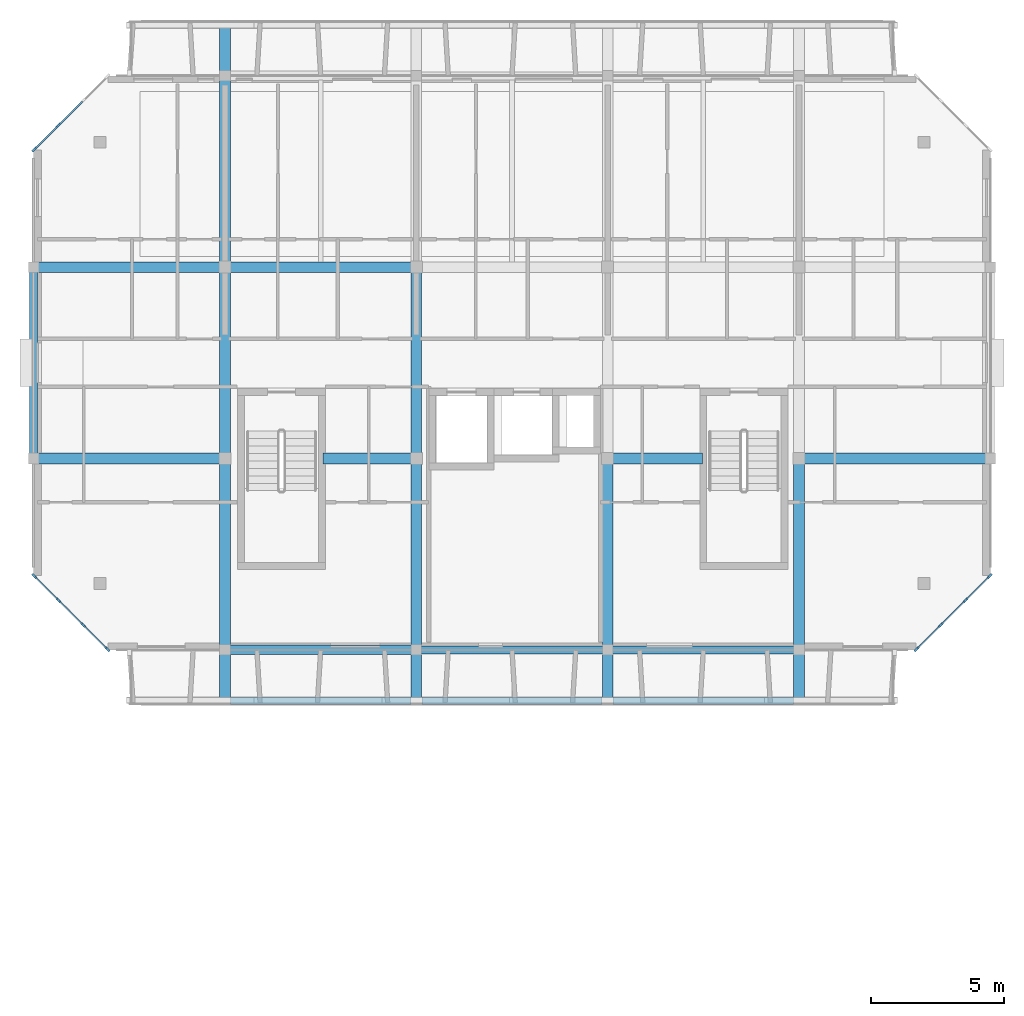
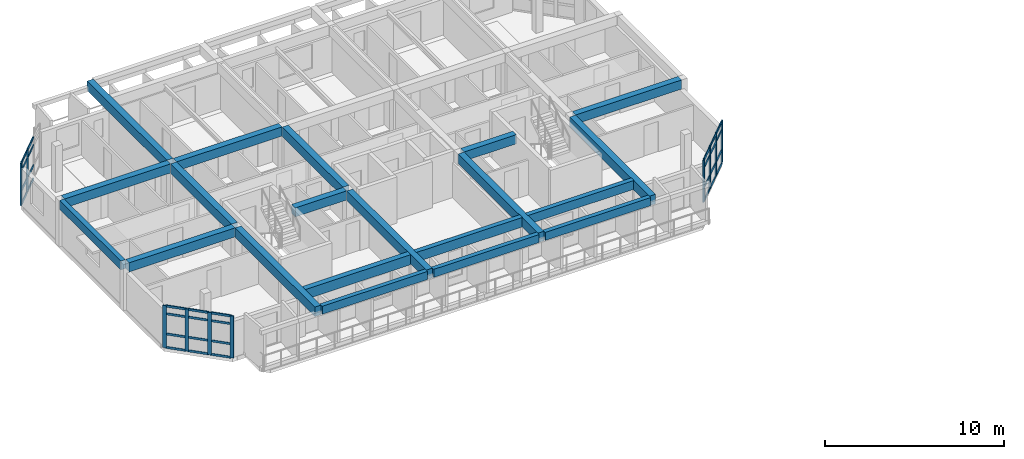
# One storey, part 3 of 19: 42 members, 20 beams, 3 elements without a shape of their own.
"""IFC4 building model written with IfcOpenShell, lengths in metres."""

from ifc_helpers import new_model, si_unit, direction, frame, origin, origin_2d, place, context, subcontext, project, spatial, rectangle, extrude, material, layer, layer_set, material_profile, profile_set, type_object, element, aggregate, save


model = new_model("IFC4")

# Units and contexts
model_context = context("Model", 3, precision=1e-05, world=origin(), true_north=direction((0.0, 1.0)))
body_context = subcontext(model_context, "Body", "Model", "MODEL_VIEW")
ifc_project = project(units=[si_unit("LENGTHUNIT", "METRE"), si_unit("AREAUNIT", "SQUARE_METRE"), si_unit("VOLUMEUNIT", "CUBIC_METRE"), si_unit("PLANEANGLEUNIT", "RADIAN"), si_unit("MASSUNIT", "GRAM", prefix="KILO")], contexts=[model_context])

# Site, building, storey
site_placement = place(None, origin())
site = spatial("IfcSite", under=ifc_project, at=site_placement, CompositionType="ELEMENT")
building_placement = place(site_placement, origin())
building = spatial("IfcBuilding", under=site, at=building_placement, Name="Ochrevale Crest", CompositionType="ELEMENT")
storey_placement = place(building_placement, frame((0.0, 0.0, 43.35009765625)))
storey = spatial("IfcBuildingStorey", under=building, at=storey_placement, Name="L13", CompositionType="ELEMENT", Elevation=43.35009765625)

# Beams
ifc_material_1 = material(Name="Precast concrete C50/60", Category="concrete")
ifc_material_profile_1 = material_profile(ifc_material_1, rectangle(XDim=0.39990234375, YDim=0.6201171875, at=origin_2d()), Name="PC 400x620")
ifc_profile_set_1 = profile_set([ifc_material_profile_1], Name="Precast concrete C50/60")
beam_type_1 = type_object("IfcBeamType", Name="BM-PC400x620", PredefinedType="BEAM", material=ifc_profile_set_1)
beam_1_placement = place(storey_placement, frame((129.77490234375, 79.199951171875, 2.83984375), z_axis=(1.0, 0.0, 0.0), x_axis=(0.0, 1.0, 0.0)))
element("IfcBeam", 1, at=beam_1_placement, inside=storey, type_object=beam_type_1, Name="Block D L13 E-W beam Y=79.2", PredefinedType="BEAM", context=body_context, shape_type="SweptSolid", body=[
    extrude(rectangle(XDim=0.39990234375, YDim=0.6201171875, at=origin_2d()), origin(), (0.0, 0.0, 1.0), 6.8251953125),
])
beam_2_placement = place(storey_placement, frame((140.489990234375, 79.199951171875, 2.83984375), z_axis=(1.0, 0.0, 0.0), x_axis=(0.0, 1.0, 0.0)))
element("IfcBeam", 2, at=beam_2_placement, inside=storey, type_object=beam_type_1, Name="Block D L13 E-W beam Y=79.2", PredefinedType="BEAM", context=body_context, shape_type="SweptSolid", body=[
    extrude(rectangle(XDim=0.39990234375, YDim=0.6201171875, at=origin_2d()), origin(), (0.0, 0.0, 1.0), 3.31005859375),
])
beam_3_placement = place(storey_placement, frame((151.39990234375, 79.199951171875, 2.83984375), z_axis=(1.0, 0.0, 0.0), x_axis=(0.0, 1.0, 0.0)))
element("IfcBeam", 3, at=beam_3_placement, inside=storey, type_object=beam_type_1, Name="Block D L13 E-W beam Y=79.2", PredefinedType="BEAM", context=body_context, shape_type="SweptSolid", body=[
    extrude(rectangle(XDim=0.39990234375, YDim=0.6201171875, at=origin_2d()), origin(), (0.0, 0.0, 1.0), 3.360107421875),
])
beam_4_placement = place(storey_placement, frame((158.60009765625, 79.199951171875, 2.83984375), z_axis=(1.0, 0.0, 0.0), x_axis=(0.0, 1.0, 0.0)))
element("IfcBeam", 4, at=beam_4_placement, inside=storey, type_object=beam_type_1, Name="Block D L13 E-W beam Y=79.2", PredefinedType="BEAM", context=body_context, shape_type="SweptSolid", body=[
    extrude(rectangle(XDim=0.39990234375, YDim=0.6201171875, at=origin_2d()), origin(), (0.0, 0.0, 1.0), 6.824951171875),
])
beam_5_placement = place(storey_placement, frame((129.77490234375, 86.39990234375, 2.83984375), z_axis=(1.0, 0.0, 0.0), x_axis=(0.0, 1.0, 0.0)))
element("IfcBeam", 5, at=beam_5_placement, inside=storey, type_object=beam_type_1, Name="Block D L13 E-W beam Y=86.4", PredefinedType="BEAM", context=body_context, shape_type="SweptSolid", body=[
    extrude(rectangle(XDim=0.39990234375, YDim=0.6201171875, at=origin_2d()), origin(), (0.0, 0.0, 1.0), 6.8251953125),
])
beam_6_placement = place(storey_placement, frame((137.0, 86.39990234375, 2.83984375), z_axis=(1.0, 0.0, 0.0), x_axis=(0.0, 1.0, 0.0)))
element("IfcBeam", 6, at=beam_6_placement, inside=storey, type_object=beam_type_1, Name="Block D L13 E-W beam Y=86.4", PredefinedType="BEAM", context=body_context, shape_type="SweptSolid", body=[
    extrude(rectangle(XDim=0.39990234375, YDim=0.6201171875, at=origin_2d()), origin(), (0.0, 0.0, 1.0), 6.800048828125),
])
ifc_material_profile_2 = material_profile(ifc_material_1, rectangle(XDim=0.39990234375, YDim=0.64990234375, at=origin_2d()), Name="PC 400x650")
ifc_profile_set_2 = profile_set([ifc_material_profile_2], Name="Precast concrete C50/60")
beam_type_2 = type_object("IfcBeamType", Name="BM-PC400x650", PredefinedType="BEAM", material=ifc_profile_set_2)
beam_7_placement = place(storey_placement, frame((136.800048828125, 70.080078125, 2.824951171875), z_axis=(0.0, 1.0, 0.0), x_axis=(-1.0, 0.0, 0.0)))
element("IfcBeam", 7, at=beam_7_placement, inside=storey, type_object=beam_type_2, Name="Block D L13 N-S beam X=136.8", PredefinedType="BEAM", context=body_context, shape_type="SweptSolid", body=[
    extrude(rectangle(XDim=0.39990234375, YDim=0.64990234375, at=origin_2d()), origin(), (0.0, 0.0, 1.0), 8.9150390625),
])
beam_8_placement = place(storey_placement, frame((136.800048828125, 79.405029296875, 2.824951171875), z_axis=(0.0, 1.0, 0.0), x_axis=(-1.0, 0.0, 0.0)))
element("IfcBeam", 8, at=beam_8_placement, inside=storey, type_object=beam_type_2, Name="Block D L13 N-S beam X=136.8", PredefinedType="BEAM", context=body_context, shape_type="SweptSolid", body=[
    extrude(rectangle(XDim=0.39990234375, YDim=0.64990234375, at=origin_2d()), origin(), (0.0, 0.0, 1.0), 6.7900390625),
])
for number, where, z_axis, x_axis, name in (
    (9, (136.800048828125, 86.60498046875, 2.824951171875), (0.0, 1.0, 0.0), (-1.0, 0.0, 0.0), "Block D L13 N-S beam X=136.8"),
    (10, (144.0, 70.080078125, 2.824951171875), (0.0, 1.0, 0.0), (-1.0, 0.0, 0.0), "Block D L13 N-S beam X=144.0"),
):
    element("IfcBeam", number, at=place(storey_placement, frame(where, z_axis=z_axis, x_axis=x_axis)), inside=storey, type_object=beam_type_2, Name=name, PredefinedType="BEAM", context=body_context, shape_type="SweptSolid", body=[
        extrude(rectangle(XDim=0.39990234375, YDim=0.64990234375, at=origin_2d()), origin(), (0.0, 0.0, 1.0), 8.9150390625),
    ])
beam_9_placement = place(storey_placement, frame((144.0, 79.405029296875, 2.824951171875), z_axis=(0.0, 1.0, 0.0), x_axis=(-1.0, 0.0, 0.0)))
element("IfcBeam", 11, at=beam_9_placement, inside=storey, type_object=beam_type_2, Name="Block D L13 N-S beam X=144.0", PredefinedType="BEAM", context=body_context, shape_type="SweptSolid", body=[
    extrude(rectangle(XDim=0.39990234375, YDim=0.64990234375, at=origin_2d()), origin(), (0.0, 0.0, 1.0), 6.7900390625),
])
for number, where, z_axis, x_axis, name in (
    (12, (151.199951171875, 70.080078125, 2.824951171875), (0.0, 1.0, 0.0), (-1.0, 0.0, 0.0), "Block D L13 N-S beam X=151.2"),
    (13, (158.39990234375, 70.080078125, 2.824951171875), (0.0, 1.0, 0.0), (-1.0, 0.0, 0.0), "Block D L13 N-S beam X=158.4"),
):
    element("IfcBeam", number, at=place(storey_placement, frame(where, z_axis=z_axis, x_axis=x_axis)), inside=storey, type_object=beam_type_2, Name=name, PredefinedType="BEAM", context=body_context, shape_type="SweptSolid", body=[
        extrude(rectangle(XDim=0.39990234375, YDim=0.64990234375, at=origin_2d()), origin(), (0.0, 0.0, 1.0), 8.9150390625),
    ])
ifc_material_2 = material(Name="Precast concrete C40/50", Category="concrete")
ifc_material_profile_3 = material_profile(ifc_material_2, rectangle(XDim=0.280029296875, YDim=0.550048828125, at=origin_2d()), Name="PC 280x550")
ifc_profile_set_3 = profile_set([ifc_material_profile_3], Name="Precast concrete C40/50")
beam_type_3 = type_object("IfcBeamType", Name="BM-SP280x550", PredefinedType="SPANDREL", material=ifc_profile_set_3)
for number, where, z_axis, x_axis, name in (
    (14, (137.0048828125, 70.080078125, 2.875), (1.0, 0.0, 0.0), (0.0, 1.0, 0.0), "Block D L13 top-loggia precast ring lintel S-1"),
    (15, (144.205078125, 70.080078125, 2.875), (1.0, 0.0, 0.0), (0.0, 1.0, 0.0), "Block D L13 top-loggia precast ring lintel S-2"),
    (16, (151.405029296875, 70.080078125, 2.875), (1.0, 0.0, 0.0), (0.0, 1.0, 0.0), "Block D L13 top-loggia precast ring lintel S-3"),
):
    element("IfcBeam", number, at=place(storey_placement, frame(where, z_axis=z_axis, x_axis=x_axis)), inside=storey, type_object=beam_type_3, Name=name, PredefinedType="SPANDREL", context=body_context, shape_type="SweptSolid", body=[
        extrude(rectangle(XDim=0.280029296875, YDim=0.550048828125, at=origin_2d()), origin(), (0.0, 0.0, 1.0), 6.7900390625),
    ])
ifc_material_profile_4 = material_profile(ifc_material_2, rectangle(XDim=0.300048828125, YDim=0.60009765625, at=origin_2d()), Name="PC 300x600")
ifc_profile_set_4 = profile_set([ifc_material_profile_4], Name="Precast concrete C40/50")
beam_type_4 = type_object("IfcBeamType", Name="BM-SP300x600", PredefinedType="SPANDREL", material=ifc_profile_set_4)
beam_10_placement = place(storey_placement, frame((151.375, 72.0, 2.849853515625), z_axis=(1.0, 0.0, 0.0), x_axis=(0.0, 1.0, 0.0)))
element("IfcBeam", 17, at=beam_10_placement, inside=storey, type_object=beam_type_4, Name="Block D L13 E-W beam Y=72.0", PredefinedType="SPANDREL", context=body_context, shape_type="SweptSolid", body=[
    extrude(rectangle(XDim=0.300048828125, YDim=0.60009765625, at=origin_2d()), origin(), (0.0, 0.0, 1.0), 6.85009765625),
])
beam_11_placement = place(storey_placement, frame((129.60009765625, 79.3798828125, 2.849853515625), z_axis=(0.0, 1.0, 0.0), x_axis=(-1.0, 0.0, 0.0)))
element("IfcBeam", 18, at=beam_11_placement, inside=storey, type_object=beam_type_4, Name="Block D L13 N-S beam X=129.6", PredefinedType="SPANDREL", context=body_context, shape_type="SweptSolid", body=[
    extrude(rectangle(XDim=0.300048828125, YDim=0.60009765625, at=origin_2d()), origin(), (0.0, 0.0, 1.0), 6.840087890625),
])
ifc_material_profile_5 = material_profile(ifc_material_2, rectangle(XDim=0.300048828125, YDim=0.64990234375, at=origin_2d()), Name="PC 300x650")
ifc_profile_set_5 = profile_set([ifc_material_profile_5], Name="Precast concrete C40/50")
beam_type_5 = type_object("IfcBeamType", Name="BM-SP300x650", PredefinedType="SPANDREL", material=ifc_profile_set_5)
beam_12_placement = place(storey_placement, frame((144.175048828125, 72.0, 2.824951171875), z_axis=(1.0, 0.0, 0.0), x_axis=(0.0, 1.0, 0.0)))
element("IfcBeam", 19, at=beam_12_placement, inside=storey, type_object=beam_type_5, Name="Block D L13 E-W beam Y=72.0", PredefinedType="SPANDREL", context=body_context, shape_type="SweptSolid", body=[
    extrude(rectangle(XDim=0.300048828125, YDim=0.64990234375, at=origin_2d()), origin(), (0.0, 0.0, 1.0), 6.849853515625),
])
ifc_material_profile_6 = material_profile(ifc_material_2, rectangle(XDim=0.35009765625, YDim=0.679931640625, at=origin_2d()), Name="PC 350x680")
ifc_profile_set_6 = profile_set([ifc_material_profile_6], Name="Precast concrete C40/50")
beam_type_6 = type_object("IfcBeamType", Name="BM-SP350x680", PredefinedType="SPANDREL", material=ifc_profile_set_6)
beam_13_placement = place(storey_placement, frame((136.97509765625, 72.0, 2.809814453125), z_axis=(1.0, 0.0, 0.0), x_axis=(0.0, 1.0, 0.0)))
element("IfcBeam", 20, at=beam_13_placement, inside=storey, type_object=beam_type_6, Name="Block D L13 E-W beam Y=72.0", PredefinedType="SPANDREL", context=body_context, shape_type="SweptSolid", body=[
    extrude(rectangle(XDim=0.35009765625, YDim=0.679931640625, at=origin_2d()), origin(), (0.0, 0.0, 1.0), 6.849853515625),
])

# Curtain wall, members
ifc_material_3 = material(Name="Anodised aluminium 6063-T5", Category="aluminium")
ifc_layer_1 = layer(ifc_material_3, 0.14990234375)
ifc_layer_set_1 = layer_set([ifc_layer_1], Name="Anodised aluminium 6063-T5")
curtain_wall_type_1 = type_object("IfcCurtainWallType", Name="CW-WG-240x285", PredefinedType="NOTDEFINED", material=ifc_layer_set_1)
curtain_wall_1_placement = place(storey_placement, origin())
curtain_wall_1 = element("IfcCurtainWall", 21, at=curtain_wall_1_placement, inside=storey, type_object=curtain_wall_type_1, Name="Block D L13 chamfered corner wintergarden curtain wall 2", PredefinedType="NOTDEFINED")
ifc_material_profile_7 = material_profile(ifc_material_3, rectangle(XDim=0.074951171875, YDim=0.219970703125, at=origin_2d()), Name="ALU 75x220")
ifc_profile_set_7 = profile_set([ifc_material_profile_7], Name="Anodised aluminium 6063-T5")
member_type_1 = type_object("IfcMemberType", Name="CW-MUL-75x220", PredefinedType="MULLION", material=ifc_profile_set_7)
member_1_placement = place(storey_placement, frame((162.826416015625, 72.026611328125, 0.0), z_axis=(0.0, 0.0, 1.0), x_axis=(-0.707106781187, 0.707106781187, 0.0)))
member_1 = element("IfcMember", 22, at=member_1_placement, type_object=member_type_1, Name="CW15 mullion 1", PredefinedType="MULLION", context=body_context, shape_type="SweptSolid", body=[
    extrude(rectangle(XDim=0.074951171875, YDim=0.219970703125, at=origin_2d()), origin(), (0.0, 0.0, 1.0), 2.875),
])
member_2_placement = place(storey_placement, frame((163.7333984375, 72.933349609375, 0.0), z_axis=(0.0, 0.0, 1.0), x_axis=(-0.707106781187, 0.707106781187, 0.0)))
member_2 = element("IfcMember", 23, at=member_2_placement, type_object=member_type_1, Name="CW15 mullion 2", PredefinedType="MULLION", context=body_context, shape_type="SweptSolid", body=[
    extrude(rectangle(XDim=0.074951171875, YDim=0.219970703125, at=origin_2d()), origin(), (0.0, 0.0, 1.0), 2.875),
])
member_3_placement = place(storey_placement, frame((164.666748046875, 73.86669921875, 0.0), z_axis=(0.0, 0.0, 1.0), x_axis=(-0.707106781187, 0.707106781187, 0.0)))
member_3 = element("IfcMember", 24, at=member_3_placement, type_object=member_type_1, Name="CW15 mullion 3", PredefinedType="MULLION", context=body_context, shape_type="SweptSolid", body=[
    extrude(rectangle(XDim=0.074951171875, YDim=0.219970703125, at=origin_2d()), origin(), (0.0, 0.0, 1.0), 2.875),
])
member_4_placement = place(storey_placement, frame((165.573486328125, 74.7734375, 0.0), z_axis=(0.0, 0.0, 1.0), x_axis=(-0.707106781187, 0.707106781187, 0.0)))
member_4 = element("IfcMember", 25, at=member_4_placement, type_object=member_type_1, Name="CW15 mullion 4", PredefinedType="MULLION", context=body_context, shape_type="SweptSolid", body=[
    extrude(rectangle(XDim=0.074951171875, YDim=0.219970703125, at=origin_2d()), origin(), (0.0, 0.0, 1.0), 2.875),
])

ifc_layer_2 = layer(ifc_material_3, 0.14990234375)
ifc_layer_set_2 = layer_set([ifc_layer_2], Name="Anodised aluminium 6063-T5")
curtain_wall_type_2 = type_object("IfcCurtainWallType", Name="CW-WG-420x285", PredefinedType="NOTDEFINED", material=ifc_layer_set_2)
curtain_wall_2_placement = place(storey_placement, origin())
curtain_wall_2 = element("IfcCurtainWall", 26, at=curtain_wall_2_placement, inside=storey, type_object=curtain_wall_type_2, Name="Block D L13 chamfered corner wintergarden curtain wall 6", PredefinedType="NOTDEFINED")
member_5_placement = place(storey_placement, frame((130.533447265625, 91.7333984375, 0.0), z_axis=(0.0, 0.0, 1.0), x_axis=(0.707106781187, -0.707106781187, 0.0)))
member_5 = element("IfcMember", 27, at=member_5_placement, type_object=member_type_1, Name="CW22 mullion 3", PredefinedType="MULLION", context=body_context, shape_type="SweptSolid", body=[
    extrude(rectangle(XDim=0.074951171875, YDim=0.219970703125, at=origin_2d()), origin(), (0.0, 0.0, 1.0), 2.875),
])
member_6_placement = place(storey_placement, frame((129.62646484375, 90.826416015625, 0.0), z_axis=(0.0, 0.0, 1.0), x_axis=(0.707106781187, -0.707106781187, 0.0)))
member_6 = element("IfcMember", 28, at=member_6_placement, type_object=member_type_1, Name="CW22 mullion 4", PredefinedType="MULLION", context=body_context, shape_type="SweptSolid", body=[
    extrude(rectangle(XDim=0.074951171875, YDim=0.219970703125, at=origin_2d()), origin(), (0.0, 0.0, 1.0), 2.875),
])

ifc_layer_3 = layer(ifc_material_3, 0.14990234375)
ifc_layer_set_3 = layer_set([ifc_layer_3], Name="Anodised aluminium 6063-T5")
curtain_wall_type_3 = type_object("IfcCurtainWallType", Name="CW-WG-280x285", PredefinedType="NOTDEFINED", material=ifc_layer_set_3)
curtain_wall_3_placement = place(storey_placement, origin())
curtain_wall_3 = element("IfcCurtainWall", 29, at=curtain_wall_3_placement, inside=storey, type_object=curtain_wall_type_3, Name="Block D L13 chamfered corner wintergarden curtain wall 8", PredefinedType="NOTDEFINED")
member_7_placement = place(storey_placement, frame((129.62646484375, 74.7734375, 0.0), z_axis=(0.0, 0.0, 1.0), x_axis=(0.707106781187, 0.707106781187, 0.0)))
member_7 = element("IfcMember", 30, at=member_7_placement, type_object=member_type_1, Name="CW16 mullion 1", PredefinedType="MULLION", context=body_context, shape_type="SweptSolid", body=[
    extrude(rectangle(XDim=0.074951171875, YDim=0.219970703125, at=origin_2d()), origin(), (0.0, 0.0, 1.0), 2.875),
])
member_8_placement = place(storey_placement, frame((130.533447265625, 73.86669921875, 0.0), z_axis=(0.0, 0.0, 1.0), x_axis=(0.707106781187, 0.707106781187, 0.0)))
member_8 = element("IfcMember", 31, at=member_8_placement, type_object=member_type_1, Name="CW16 mullion 2", PredefinedType="MULLION", context=body_context, shape_type="SweptSolid", body=[
    extrude(rectangle(XDim=0.074951171875, YDim=0.219970703125, at=origin_2d()), origin(), (0.0, 0.0, 1.0), 2.875),
])
member_9_placement = place(storey_placement, frame((131.466552734375, 72.933349609375, 0.0), z_axis=(0.0, 0.0, 1.0), x_axis=(0.707106781187, 0.707106781187, 0.0)))
member_9 = element("IfcMember", 32, at=member_9_placement, type_object=member_type_1, Name="CW16 mullion 3", PredefinedType="MULLION", context=body_context, shape_type="SweptSolid", body=[
    extrude(rectangle(XDim=0.074951171875, YDim=0.219970703125, at=origin_2d()), origin(), (0.0, 0.0, 1.0), 2.875),
])
member_10_placement = place(storey_placement, frame((132.37353515625, 72.026611328125, 0.0), z_axis=(0.0, 0.0, 1.0), x_axis=(0.707106781187, 0.707106781187, 0.0)))
member_10 = element("IfcMember", 33, at=member_10_placement, type_object=member_type_1, Name="CW16 mullion 4", PredefinedType="MULLION", context=body_context, shape_type="SweptSolid", body=[
    extrude(rectangle(XDim=0.074951171875, YDim=0.219970703125, at=origin_2d()), origin(), (0.0, 0.0, 1.0), 2.875),
])

# Member
ifc_material_profile_8 = material_profile(ifc_material_3, rectangle(XDim=0.06005859375, YDim=0.14990234375, at=origin_2d()), Name="ALU 60x150")
ifc_profile_set_8 = profile_set([ifc_material_profile_8], Name="Anodised aluminium 6063-T5")
member_type_2 = type_object("IfcMemberType", Name="CW-TRN-60x150", PredefinedType="USERDEFINED", material=ifc_profile_set_8)
member_11_placement = place(storey_placement, frame((162.85302734375, 72.052978515625, 0.02978515625), z_axis=(0.707106781187, 0.707106781187, 0.0), x_axis=(-0.707106781187, 0.707106781187, 0.0)))
member_11 = element("IfcMember", 34, at=member_11_placement, type_object=member_type_2, Name="CW15 transom 1.1", ObjectType="TRANSOM", PredefinedType="USERDEFINED", context=body_context, shape_type="SweptSolid", body=[
    extrude(rectangle(XDim=0.06005859375, YDim=0.14990234375, at=origin_2d()), origin(), (0.0, 0.0, 1.0), 1.20751953125),
])

member_12_placement = place(storey_placement, frame((162.85302734375, 72.052978515625, 0.949951171875), z_axis=(0.707106781187, 0.707106781187, 0.0), x_axis=(-0.707106781187, 0.707106781187, 0.0)))
member_12 = element("IfcMember", 35, at=member_12_placement, type_object=member_type_2, Name="CW15 transom 1.2", ObjectType="TRANSOM", PredefinedType="USERDEFINED", context=body_context, shape_type="SweptSolid", body=[
    extrude(rectangle(XDim=0.06005859375, YDim=0.14990234375, at=origin_2d()), origin(), (0.0, 0.0, 1.0), 1.20751953125),
])

member_13_placement = place(storey_placement, frame((162.85302734375, 72.052978515625, 2.324951171875), z_axis=(0.707106781187, 0.707106781187, 0.0), x_axis=(-0.707106781187, 0.707106781187, 0.0)))
member_13 = element("IfcMember", 36, at=member_13_placement, type_object=member_type_2, Name="CW15 transom 1.3", ObjectType="TRANSOM", PredefinedType="USERDEFINED", context=body_context, shape_type="SweptSolid", body=[
    extrude(rectangle(XDim=0.06005859375, YDim=0.14990234375, at=origin_2d()), origin(), (0.0, 0.0, 1.0), 1.20751953125),
])

member_14_placement = place(storey_placement, frame((162.85302734375, 72.052978515625, 2.844970703125), z_axis=(0.707106781187, 0.707106781187, 0.0), x_axis=(-0.707106781187, 0.707106781187, 0.0)))
member_14 = element("IfcMember", 37, at=member_14_placement, type_object=member_type_2, Name="CW15 transom 1.4", ObjectType="TRANSOM", PredefinedType="USERDEFINED", context=body_context, shape_type="SweptSolid", body=[
    extrude(rectangle(XDim=0.06005859375, YDim=0.14990234375, at=origin_2d()), origin(), (0.0, 0.0, 1.0), 1.20751953125),
])

member_15_placement = place(storey_placement, frame((163.759765625, 72.9599609375, 0.02978515625), z_axis=(0.707204833848, 0.707008714926, 0.0), x_axis=(-0.707008714926, 0.707204833848, 0.0)))
member_15 = element("IfcMember", 38, at=member_15_placement, type_object=member_type_2, Name="CW15 transom 2.1", ObjectType="TRANSOM", PredefinedType="USERDEFINED", context=body_context, shape_type="SweptSolid", body=[
    extrude(rectangle(XDim=0.06005859375, YDim=0.14990234375, at=origin_2d()), origin(), (0.0, 0.0, 1.0), 1.244873046875),
])

member_16_placement = place(storey_placement, frame((163.759765625, 72.9599609375, 0.949951171875), z_axis=(0.707204833848, 0.707008714926, 0.0), x_axis=(-0.707008714926, 0.707204833848, 0.0)))
member_16 = element("IfcMember", 39, at=member_16_placement, type_object=member_type_2, Name="CW15 transom 2.2", ObjectType="TRANSOM", PredefinedType="USERDEFINED", context=body_context, shape_type="SweptSolid", body=[
    extrude(rectangle(XDim=0.06005859375, YDim=0.14990234375, at=origin_2d()), origin(), (0.0, 0.0, 1.0), 1.244873046875),
])

member_17_placement = place(storey_placement, frame((163.759765625, 72.9599609375, 2.324951171875), z_axis=(0.707204833848, 0.707008714926, 0.0), x_axis=(-0.707008714926, 0.707204833848, 0.0)))
member_17 = element("IfcMember", 40, at=member_17_placement, type_object=member_type_2, Name="CW15 transom 2.3", ObjectType="TRANSOM", PredefinedType="USERDEFINED", context=body_context, shape_type="SweptSolid", body=[
    extrude(rectangle(XDim=0.06005859375, YDim=0.14990234375, at=origin_2d()), origin(), (0.0, 0.0, 1.0), 1.244873046875),
])

member_18_placement = place(storey_placement, frame((163.759765625, 72.9599609375, 2.844970703125), z_axis=(0.707204833848, 0.707008714926, 0.0), x_axis=(-0.707008714926, 0.707204833848, 0.0)))
member_18 = element("IfcMember", 41, at=member_18_placement, type_object=member_type_2, Name="CW15 transom 2.4", ObjectType="TRANSOM", PredefinedType="USERDEFINED", context=body_context, shape_type="SweptSolid", body=[
    extrude(rectangle(XDim=0.06005859375, YDim=0.14990234375, at=origin_2d()), origin(), (0.0, 0.0, 1.0), 1.244873046875),
])

member_19_placement = place(storey_placement, frame((164.693115234375, 73.89306640625, 0.02978515625), z_axis=(0.707005686502, 0.70720786142, 0.0), x_axis=(-0.70720786142, 0.707005686502, 0.0)))
member_19 = element("IfcMember", 42, at=member_19_placement, type_object=member_type_2, Name="CW15 transom 3.1", ObjectType="TRANSOM", PredefinedType="USERDEFINED", context=body_context, shape_type="SweptSolid", body=[
    extrude(rectangle(XDim=0.06005859375, YDim=0.14990234375, at=origin_2d()), origin(), (0.0, 0.0, 1.0), 1.20751953125),
])

member_20_placement = place(storey_placement, frame((164.693115234375, 73.89306640625, 0.949951171875), z_axis=(0.707005686502, 0.70720786142, 0.0), x_axis=(-0.70720786142, 0.707005686502, 0.0)))
member_20 = element("IfcMember", 43, at=member_20_placement, type_object=member_type_2, Name="CW15 transom 3.2", ObjectType="TRANSOM", PredefinedType="USERDEFINED", context=body_context, shape_type="SweptSolid", body=[
    extrude(rectangle(XDim=0.06005859375, YDim=0.14990234375, at=origin_2d()), origin(), (0.0, 0.0, 1.0), 1.20751953125),
])

member_21_placement = place(storey_placement, frame((164.693115234375, 73.89306640625, 2.324951171875), z_axis=(0.707005686502, 0.70720786142, 0.0), x_axis=(-0.70720786142, 0.707005686502, 0.0)))
member_21 = element("IfcMember", 44, at=member_21_placement, type_object=member_type_2, Name="CW15 transom 3.3", ObjectType="TRANSOM", PredefinedType="USERDEFINED", context=body_context, shape_type="SweptSolid", body=[
    extrude(rectangle(XDim=0.06005859375, YDim=0.14990234375, at=origin_2d()), origin(), (0.0, 0.0, 1.0), 1.20751953125),
])

member_22_placement = place(storey_placement, frame((164.693115234375, 73.89306640625, 2.844970703125), z_axis=(0.707005686502, 0.70720786142, 0.0), x_axis=(-0.70720786142, 0.707005686502, 0.0)))
member_22 = element("IfcMember", 45, at=member_22_placement, type_object=member_type_2, Name="CW15 transom 3.4", ObjectType="TRANSOM", PredefinedType="USERDEFINED", context=body_context, shape_type="SweptSolid", body=[
    extrude(rectangle(XDim=0.06005859375, YDim=0.14990234375, at=origin_2d()), origin(), (0.0, 0.0, 1.0), 1.20751953125),
])

aggregate(curtain_wall_1, [member_1, member_2, member_3, member_4, member_11, member_12, member_13, member_14, member_15, member_16, member_17, member_18, member_19, member_20, member_21, member_22])

member_23_placement = place(storey_placement, frame((131.440185546875, 92.64013671875, 0.02978515625), z_axis=(-0.707106781187, -0.707106781187, 0.0), x_axis=(0.707106781187, -0.707106781187, 0.0)))
member_23 = element("IfcMember", 46, at=member_23_placement, type_object=member_type_2, Name="CW22 transom 2.1", ObjectType="TRANSOM", PredefinedType="USERDEFINED", context=body_context, shape_type="SweptSolid", body=[
    extrude(rectangle(XDim=0.06005859375, YDim=0.14990234375, at=origin_2d()), origin(), (0.0, 0.0, 1.0), 1.2451171875),
])

member_24_placement = place(storey_placement, frame((131.440185546875, 92.64013671875, 0.949951171875), z_axis=(-0.707106781187, -0.707106781187, 0.0), x_axis=(0.707106781187, -0.707106781187, 0.0)))
member_24 = element("IfcMember", 47, at=member_24_placement, type_object=member_type_2, Name="CW22 transom 2.2", ObjectType="TRANSOM", PredefinedType="USERDEFINED", context=body_context, shape_type="SweptSolid", body=[
    extrude(rectangle(XDim=0.06005859375, YDim=0.14990234375, at=origin_2d()), origin(), (0.0, 0.0, 1.0), 1.2451171875),
])

member_25_placement = place(storey_placement, frame((131.440185546875, 92.64013671875, 2.324951171875), z_axis=(-0.707106781187, -0.707106781187, 0.0), x_axis=(0.707106781187, -0.707106781187, 0.0)))
member_25 = element("IfcMember", 48, at=member_25_placement, type_object=member_type_2, Name="CW22 transom 2.3", ObjectType="TRANSOM", PredefinedType="USERDEFINED", context=body_context, shape_type="SweptSolid", body=[
    extrude(rectangle(XDim=0.06005859375, YDim=0.14990234375, at=origin_2d()), origin(), (0.0, 0.0, 1.0), 1.2451171875),
])

member_26_placement = place(storey_placement, frame((131.440185546875, 92.64013671875, 2.844970703125), z_axis=(-0.707106781187, -0.707106781187, 0.0), x_axis=(0.707106781187, -0.707106781187, 0.0)))
member_26 = element("IfcMember", 49, at=member_26_placement, type_object=member_type_2, Name="CW22 transom 2.4", ObjectType="TRANSOM", PredefinedType="USERDEFINED", context=body_context, shape_type="SweptSolid", body=[
    extrude(rectangle(XDim=0.06005859375, YDim=0.14990234375, at=origin_2d()), origin(), (0.0, 0.0, 1.0), 1.2451171875),
])

member_27_placement = place(storey_placement, frame((130.5068359375, 91.706787109375, 0.02978515625), z_axis=(-0.707106781187, -0.707106781187, 0.0), x_axis=(0.707106781187, -0.707106781187, 0.0)))
member_27 = element("IfcMember", 50, at=member_27_placement, type_object=member_type_2, Name="CW22 transom 3.1", ObjectType="TRANSOM", PredefinedType="USERDEFINED", context=body_context, shape_type="SweptSolid", body=[
    extrude(rectangle(XDim=0.06005859375, YDim=0.14990234375, at=origin_2d()), origin(), (0.0, 0.0, 1.0), 1.20751953125),
])

member_28_placement = place(storey_placement, frame((130.5068359375, 91.706787109375, 0.949951171875), z_axis=(-0.707106781187, -0.707106781187, 0.0), x_axis=(0.707106781187, -0.707106781187, 0.0)))
member_28 = element("IfcMember", 51, at=member_28_placement, type_object=member_type_2, Name="CW22 transom 3.2", ObjectType="TRANSOM", PredefinedType="USERDEFINED", context=body_context, shape_type="SweptSolid", body=[
    extrude(rectangle(XDim=0.06005859375, YDim=0.14990234375, at=origin_2d()), origin(), (0.0, 0.0, 1.0), 1.20751953125),
])

member_29_placement = place(storey_placement, frame((130.5068359375, 91.706787109375, 2.324951171875), z_axis=(-0.707106781187, -0.707106781187, 0.0), x_axis=(0.707106781187, -0.707106781187, 0.0)))
member_29 = element("IfcMember", 52, at=member_29_placement, type_object=member_type_2, Name="CW22 transom 3.3", ObjectType="TRANSOM", PredefinedType="USERDEFINED", context=body_context, shape_type="SweptSolid", body=[
    extrude(rectangle(XDim=0.06005859375, YDim=0.14990234375, at=origin_2d()), origin(), (0.0, 0.0, 1.0), 1.20751953125),
])

member_30_placement = place(storey_placement, frame((130.5068359375, 91.706787109375, 2.844970703125), z_axis=(-0.707106781187, -0.707106781187, 0.0), x_axis=(0.707106781187, -0.707106781187, 0.0)))
member_30 = element("IfcMember", 53, at=member_30_placement, type_object=member_type_2, Name="CW22 transom 3.4", ObjectType="TRANSOM", PredefinedType="USERDEFINED", context=body_context, shape_type="SweptSolid", body=[
    extrude(rectangle(XDim=0.06005859375, YDim=0.14990234375, at=origin_2d()), origin(), (0.0, 0.0, 1.0), 1.20751953125),
])

aggregate(curtain_wall_2, [member_5, member_6, member_23, member_24, member_25, member_26, member_27, member_28, member_29, member_30])

member_31_placement = place(storey_placement, frame((129.653076171875, 74.7470703125, 0.02978515625), z_axis=(0.707005686502, -0.70720786142, 0.0), x_axis=(0.70720786142, 0.707005686502, 0.0)))
member_31 = element("IfcMember", 54, at=member_31_placement, type_object=member_type_2, Name="CW16 transom 1.1", ObjectType="TRANSOM", PredefinedType="USERDEFINED", context=body_context, shape_type="SweptSolid", body=[
    extrude(rectangle(XDim=0.06005859375, YDim=0.14990234375, at=origin_2d()), origin(), (0.0, 0.0, 1.0), 1.20751953125),
])

member_32_placement = place(storey_placement, frame((129.653076171875, 74.7470703125, 0.949951171875), z_axis=(0.707005686502, -0.70720786142, 0.0), x_axis=(0.70720786142, 0.707005686502, 0.0)))
member_32 = element("IfcMember", 55, at=member_32_placement, type_object=member_type_2, Name="CW16 transom 1.2", ObjectType="TRANSOM", PredefinedType="USERDEFINED", context=body_context, shape_type="SweptSolid", body=[
    extrude(rectangle(XDim=0.06005859375, YDim=0.14990234375, at=origin_2d()), origin(), (0.0, 0.0, 1.0), 1.20751953125),
])

member_33_placement = place(storey_placement, frame((129.653076171875, 74.7470703125, 2.324951171875), z_axis=(0.707005686502, -0.70720786142, 0.0), x_axis=(0.70720786142, 0.707005686502, 0.0)))
member_33 = element("IfcMember", 56, at=member_33_placement, type_object=member_type_2, Name="CW16 transom 1.3", ObjectType="TRANSOM", PredefinedType="USERDEFINED", context=body_context, shape_type="SweptSolid", body=[
    extrude(rectangle(XDim=0.06005859375, YDim=0.14990234375, at=origin_2d()), origin(), (0.0, 0.0, 1.0), 1.20751953125),
])

member_34_placement = place(storey_placement, frame((129.653076171875, 74.7470703125, 2.844970703125), z_axis=(0.707005686502, -0.70720786142, 0.0), x_axis=(0.70720786142, 0.707005686502, 0.0)))
member_34 = element("IfcMember", 57, at=member_34_placement, type_object=member_type_2, Name="CW16 transom 1.4", ObjectType="TRANSOM", PredefinedType="USERDEFINED", context=body_context, shape_type="SweptSolid", body=[
    extrude(rectangle(XDim=0.06005859375, YDim=0.14990234375, at=origin_2d()), origin(), (0.0, 0.0, 1.0), 1.20751953125),
])

member_35_placement = place(storey_placement, frame((130.559814453125, 73.840087890625, 0.02978515625), z_axis=(0.707204833848, -0.707008714926, 0.0), x_axis=(0.707008714926, 0.707204833848, 0.0)))
member_35 = element("IfcMember", 58, at=member_35_placement, type_object=member_type_2, Name="CW16 transom 2.1", ObjectType="TRANSOM", PredefinedType="USERDEFINED", context=body_context, shape_type="SweptSolid", body=[
    extrude(rectangle(XDim=0.06005859375, YDim=0.14990234375, at=origin_2d()), origin(), (0.0, 0.0, 1.0), 1.244873046875),
])

member_36_placement = place(storey_placement, frame((130.559814453125, 73.840087890625, 0.949951171875), z_axis=(0.707204833848, -0.707008714926, 0.0), x_axis=(0.707008714926, 0.707204833848, 0.0)))
member_36 = element("IfcMember", 59, at=member_36_placement, type_object=member_type_2, Name="CW16 transom 2.2", ObjectType="TRANSOM", PredefinedType="USERDEFINED", context=body_context, shape_type="SweptSolid", body=[
    extrude(rectangle(XDim=0.06005859375, YDim=0.14990234375, at=origin_2d()), origin(), (0.0, 0.0, 1.0), 1.244873046875),
])

member_37_placement = place(storey_placement, frame((130.559814453125, 73.840087890625, 2.324951171875), z_axis=(0.707204833848, -0.707008714926, 0.0), x_axis=(0.707008714926, 0.707204833848, 0.0)))
member_37 = element("IfcMember", 60, at=member_37_placement, type_object=member_type_2, Name="CW16 transom 2.3", ObjectType="TRANSOM", PredefinedType="USERDEFINED", context=body_context, shape_type="SweptSolid", body=[
    extrude(rectangle(XDim=0.06005859375, YDim=0.14990234375, at=origin_2d()), origin(), (0.0, 0.0, 1.0), 1.244873046875),
])

member_38_placement = place(storey_placement, frame((130.559814453125, 73.840087890625, 2.844970703125), z_axis=(0.707204833848, -0.707008714926, 0.0), x_axis=(0.707008714926, 0.707204833848, 0.0)))
member_38 = element("IfcMember", 61, at=member_38_placement, type_object=member_type_2, Name="CW16 transom 2.4", ObjectType="TRANSOM", PredefinedType="USERDEFINED", context=body_context, shape_type="SweptSolid", body=[
    extrude(rectangle(XDim=0.06005859375, YDim=0.14990234375, at=origin_2d()), origin(), (0.0, 0.0, 1.0), 1.244873046875),
])

member_39_placement = place(storey_placement, frame((131.4931640625, 72.90673828125, 0.02978515625), z_axis=(0.707106781187, -0.707106781187, 0.0), x_axis=(0.707106781187, 0.707106781187, 0.0)))
member_39 = element("IfcMember", 62, at=member_39_placement, type_object=member_type_2, Name="CW16 transom 3.1", ObjectType="TRANSOM", PredefinedType="USERDEFINED", context=body_context, shape_type="SweptSolid", body=[
    extrude(rectangle(XDim=0.06005859375, YDim=0.14990234375, at=origin_2d()), origin(), (0.0, 0.0, 1.0), 1.20751953125),
])

member_40_placement = place(storey_placement, frame((131.4931640625, 72.90673828125, 0.949951171875), z_axis=(0.707106781187, -0.707106781187, 0.0), x_axis=(0.707106781187, 0.707106781187, 0.0)))
member_40 = element("IfcMember", 63, at=member_40_placement, type_object=member_type_2, Name="CW16 transom 3.2", ObjectType="TRANSOM", PredefinedType="USERDEFINED", context=body_context, shape_type="SweptSolid", body=[
    extrude(rectangle(XDim=0.06005859375, YDim=0.14990234375, at=origin_2d()), origin(), (0.0, 0.0, 1.0), 1.20751953125),
])

member_41_placement = place(storey_placement, frame((131.4931640625, 72.90673828125, 2.324951171875), z_axis=(0.707106781187, -0.707106781187, 0.0), x_axis=(0.707106781187, 0.707106781187, 0.0)))
member_41 = element("IfcMember", 64, at=member_41_placement, type_object=member_type_2, Name="CW16 transom 3.3", ObjectType="TRANSOM", PredefinedType="USERDEFINED", context=body_context, shape_type="SweptSolid", body=[
    extrude(rectangle(XDim=0.06005859375, YDim=0.14990234375, at=origin_2d()), origin(), (0.0, 0.0, 1.0), 1.20751953125),
])

member_42_placement = place(storey_placement, frame((131.4931640625, 72.90673828125, 2.844970703125), z_axis=(0.707106781187, -0.707106781187, 0.0), x_axis=(0.707106781187, 0.707106781187, 0.0)))
member_42 = element("IfcMember", 65, at=member_42_placement, type_object=member_type_2, Name="CW16 transom 3.4", ObjectType="TRANSOM", PredefinedType="USERDEFINED", context=body_context, shape_type="SweptSolid", body=[
    extrude(rectangle(XDim=0.06005859375, YDim=0.14990234375, at=origin_2d()), origin(), (0.0, 0.0, 1.0), 1.20751953125),
])

aggregate(curtain_wall_3, [member_7, member_8, member_9, member_10, member_31, member_32, member_33, member_34, member_35, member_36, member_37, member_38, member_39, member_40, member_41, member_42])

save(model, "model.ifc")
